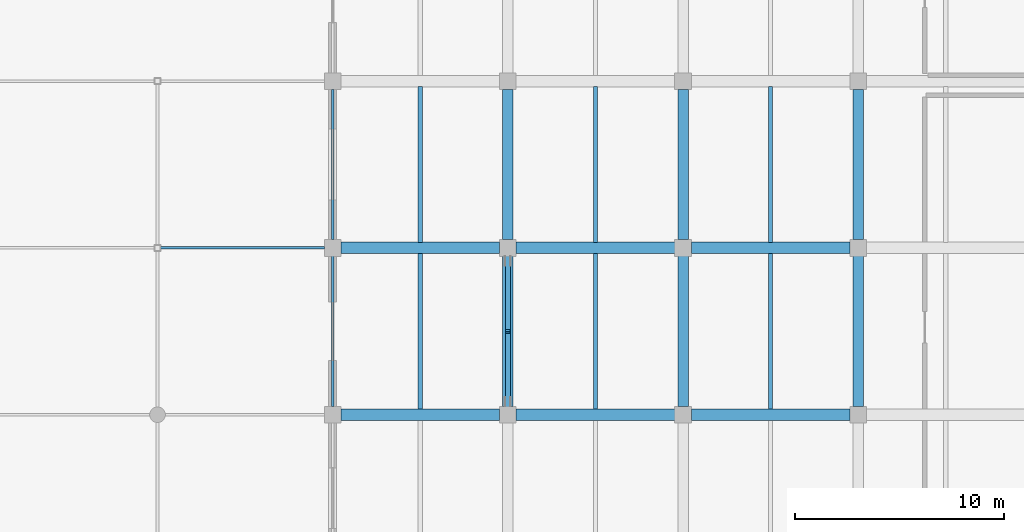
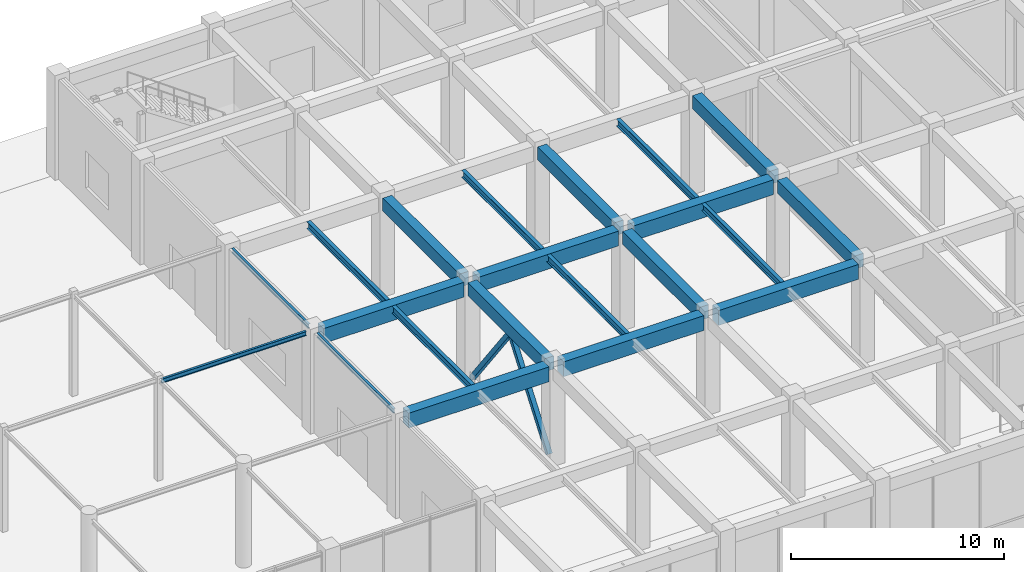
# One storey, part 33 of 76: 21 beams, 2 members.
"""IFC4 building model written with IfcOpenShell, lengths in metres."""

from ifc_helpers import new_model, si_unit, direction, frame, origin, origin_2d, place, context, subcontext, project, spatial, rectangle, hollow_rectangle, i_section, extrude, material, material_profile, profile_set, type_object, element, save


model = new_model("IFC4")

# Units and contexts
model_context = context("Model", 3, precision=1e-05, world=origin(), true_north=direction((0.0, 1.0)))
body_context = subcontext(model_context, "Body", "Model", "MODEL_VIEW")
ifc_project = project(units=[si_unit("LENGTHUNIT", "METRE"), si_unit("AREAUNIT", "SQUARE_METRE"), si_unit("VOLUMEUNIT", "CUBIC_METRE"), si_unit("PLANEANGLEUNIT", "RADIAN"), si_unit("MASSUNIT", "GRAM", prefix="KILO")], contexts=[model_context])

# Site, building, storey
site_placement = place(None, origin())
site = spatial("IfcSite", under=ifc_project, at=site_placement, CompositionType="ELEMENT")
building_placement = place(site_placement, origin())
building = spatial("IfcBuilding", under=site, at=building_placement, Name="Naruveol Harbour Congress Hotel", CompositionType="ELEMENT")
storey_placement = place(building_placement, origin())
storey = spatial("IfcBuildingStorey", under=building, at=storey_placement, Name="L00", CompositionType="ELEMENT", Elevation=0.0)

# Beams
ifc_material_1 = material(Name="Concrete C40/50", Category="concrete")
ifc_material_profile_1 = material_profile(ifc_material_1, rectangle(XDim=0.5, YDim=0.75, at=origin_2d()), Name="RCB-500x750")
ifc_profile_set_1 = profile_set([ifc_material_profile_1], Name="Concrete C40/50")
beam_type_1 = type_object("IfcBeamType", Name="RC FLOOR GIRDER 500X750", PredefinedType="BEAM", material=ifc_profile_set_1)
for number, where, z_axis, x_axis, name in (
    (1, (75.60009765625, 80.39599609375, 5.324951171875), (0.0, 1.0, 0.0), (-1.0, 0.0, 0.0), "Transverse girder L01 CB3"),
    (2, (75.60009765625, 88.39599609375, 5.324951171875), (0.0, 1.0, 0.0), (-1.0, 0.0, 0.0), "Transverse girder L01 CB3"),
    (3, (84.0, 80.39599609375, 5.324951171875), (0.0, 1.0, 0.0), (-1.0, 0.0, 0.0), "Transverse girder L01 CB3"),
    (4, (84.0, 88.39599609375, 5.324951171875), (0.0, 1.0, 0.0), (-1.0, 0.0, 0.0), "Transverse girder L01 CB3"),
    (5, (92.39990234375, 80.39599609375, 5.324951171875), (0.0, 1.0, 0.0), (-1.0, 0.0, 0.0), "Transverse girder L01 CB3"),
    (6, (92.39990234375, 88.39599609375, 5.324951171875), (0.0, 1.0, 0.0), (-1.0, 0.0, 0.0), "Transverse girder L01 CB3"),
):
    element("IfcBeam", number, at=place(storey_placement, frame(where, z_axis=z_axis, x_axis=x_axis)), inside=storey, type_object=beam_type_1, Name=name, PredefinedType="BEAM", context=body_context, shape_type="SweptSolid", body=[
        extrude(rectangle(XDim=0.5, YDim=0.75, at=origin_2d()), origin(), (0.0, 0.0, 1.0), 7.2080078125),
    ])
ifc_material_2 = material(Name="Concrete C40/50", Category="concrete")
ifc_material_profile_2 = material_profile(ifc_material_2, rectangle(XDim=0.550048828125, YDim=0.85009765625, at=origin_2d()), Name="RCB-550x850")
ifc_profile_set_2 = profile_set([ifc_material_profile_2], Name="Concrete C40/50")
beam_type_2 = type_object("IfcBeamType", Name="RC PRIMARY GIRDER 550X850", PredefinedType="BEAM", material=ifc_profile_set_2)
beam_1_placement = place(storey_placement, frame((67.595947265625, 80.0, 5.27490234375), z_axis=(1.0, 0.0, 0.0), x_axis=(0.0, 1.0, 0.0)))
element("IfcBeam", 7, at=beam_1_placement, inside=storey, type_object=beam_type_2, Name="Floor girder L01 CB2", PredefinedType="BEAM", context=body_context, shape_type="SweptSolid", body=[
    extrude(rectangle(XDim=0.550048828125, YDim=0.85009765625, at=origin_2d()), origin(), (0.0, 0.0, 1.0), 7.608154296875),
])
for number, where, z_axis, x_axis, name in (
    (8, (75.99609375, 80.0, 5.27490234375), (1.0, 0.0, 0.0), (0.0, 1.0, 0.0), "Floor girder L01 CB2"),
    (9, (84.39599609375, 80.0, 5.27490234375), (1.0, 0.0, 0.0), (0.0, 1.0, 0.0), "Floor girder L01 CB2"),
):
    element("IfcBeam", number, at=place(storey_placement, frame(where, z_axis=z_axis, x_axis=x_axis)), inside=storey, type_object=beam_type_2, Name=name, PredefinedType="BEAM", context=body_context, shape_type="SweptSolid", body=[
        extrude(rectangle(XDim=0.550048828125, YDim=0.85009765625, at=origin_2d()), origin(), (0.0, 0.0, 1.0), 7.60791015625),
    ])
beam_2_placement = place(storey_placement, frame((67.595947265625, 88.0, 5.27490234375), z_axis=(1.0, 0.0, 0.0), x_axis=(0.0, 1.0, 0.0)))
element("IfcBeam", 10, at=beam_2_placement, inside=storey, type_object=beam_type_2, Name="Floor girder L01 CB2", PredefinedType="BEAM", context=body_context, shape_type="SweptSolid", body=[
    extrude(rectangle(XDim=0.550048828125, YDim=0.85009765625, at=origin_2d()), origin(), (0.0, 0.0, 1.0), 7.608154296875),
])
for number, where, z_axis, x_axis, name in (
    (11, (75.99609375, 88.0, 5.27490234375), (1.0, 0.0, 0.0), (0.0, 1.0, 0.0), "Floor girder L01 CB2"),
    (12, (84.39599609375, 88.0, 5.27490234375), (1.0, 0.0, 0.0), (0.0, 1.0, 0.0), "Floor girder L01 CB2"),
):
    element("IfcBeam", number, at=place(storey_placement, frame(where, z_axis=z_axis, x_axis=x_axis)), inside=storey, type_object=beam_type_2, Name=name, PredefinedType="BEAM", context=body_context, shape_type="SweptSolid", body=[
        extrude(rectangle(XDim=0.550048828125, YDim=0.85009765625, at=origin_2d()), origin(), (0.0, 0.0, 1.0), 7.60791015625),
    ])
ifc_material_3 = material(Name="Steel SN490", Category="steel")
ifc_material_profile_3 = material_profile(ifc_material_3, i_section(OverallWidth=0.125, OverallDepth=0.25, WebThickness=0.006103515625, FlangeThickness=0.009033203125, at=origin_2d()), Name="H-250x125x6x9")
ifc_profile_set_3 = profile_set([ifc_material_profile_3], Name="Steel SN490")
beam_type_3 = type_object("IfcBeamType", Name="STEEL CANOPY EDGE BEAM H250", PredefinedType="BEAM", material=ifc_profile_set_3)
beam_3_placement = place(storey_placement, frame((58.946044921875, 88.0, 5.574951171875), z_axis=(1.0, 0.0, 0.0), x_axis=(0.0, 1.0, 0.0)))
element("IfcBeam", 13, at=beam_3_placement, inside=storey, type_object=beam_type_3, Name="Floor girder L01 SB3", PredefinedType="BEAM", context=body_context, shape_type="SweptSolid", body=[
    extrude(i_section(OverallWidth=0.125, OverallDepth=0.25, WebThickness=0.006103515625, FlangeThickness=0.009033203125, at=origin_2d()), origin(), (0.0, 0.0, 1.0), 7.85791015625),
])
for number, where, z_axis, x_axis, name in (
    (14, (67.199951171875, 80.39599609375, 5.574951171875), (0.0, 1.0, 0.0), (-1.0, 0.0, 0.0), "Transverse girder L01 SB3"),
    (15, (67.199951171875, 88.39599609375, 5.574951171875), (0.0, 1.0, 0.0), (-1.0, 0.0, 0.0), "Transverse girder L01 SB3"),
):
    element("IfcBeam", number, at=place(storey_placement, frame(where, z_axis=z_axis, x_axis=x_axis)), inside=storey, type_object=beam_type_3, Name=name, PredefinedType="BEAM", context=body_context, shape_type="SweptSolid", body=[
        extrude(i_section(OverallWidth=0.125, OverallDepth=0.25, WebThickness=0.006103515625, FlangeThickness=0.009033203125, at=origin_2d()), origin(), (0.0, 0.0, 1.0), 7.2080078125),
    ])

# Members
ifc_material_4 = material(Name="Steel SN490", Category="steel")
ifc_material_profile_4 = material_profile(ifc_material_4, hollow_rectangle(XDim=0.25, YDim=0.25, WallThickness=0.011962890625, at=origin_2d()), Name="SHS-250x250x12")
ifc_profile_set_4 = profile_set([ifc_material_profile_4], Name="Steel SN490")
member_type = type_object("IfcMemberType", Name="STEEL LATERAL FRAME BRACE SHS250", PredefinedType="BRACE", material=ifc_profile_set_4)
for number, where, z_axis, x_axis, name in (
    (16, (75.60009765625, 80.389892578125, 0.159912109375), (0.0, 0.601873941138, 0.798591108753), (-1.0, 0.0, 0.0), "Lateral chevron brace L00 #8A"),
    (17, (75.60009765625, 87.610107421875, 0.159912109375), (0.0, -0.601873941138, 0.798591108753), (1.0, 0.0, 0.0), "Lateral chevron brace L00 #8B"),
):
    element("IfcMember", number, at=place(storey_placement, frame(where, z_axis=z_axis, x_axis=x_axis)), inside=storey, type_object=member_type, Name=name, PredefinedType="BRACE", context=body_context, shape_type="SweptSolid", body=[
        extrude(hollow_rectangle(XDim=0.25, YDim=0.25, WallThickness=0.011962890625, at=origin_2d()), origin(), (0.0, 0.0, 1.0), 5.998046875),
    ])

# Beams
ifc_material_5 = material(Name="Steel SN490", Category="steel")
ifc_material_profile_5 = material_profile(ifc_material_5, i_section(OverallWidth=0.199951171875, OverallDepth=0.39990234375, WebThickness=0.008056640625, FlangeThickness=0.012939453125, at=origin_2d()), Name="H-400x200x8x13")
ifc_profile_set_5 = profile_set([ifc_material_profile_5], Name="Steel SN490")
beam_type_4 = type_object("IfcBeamType", Name="STEEL SECONDARY JOIST H400", PredefinedType="JOIST", material=ifc_profile_set_5)
for number, where, z_axis, x_axis, name in (
    (18, (71.39990234375, 80.27099609375, 5.5), (0.0, 1.0, 0.0), (-1.0, 0.0, 0.0), "Secondary floor joist L01 SJ1"),
    (19, (79.800048828125, 80.27099609375, 5.5), (0.0, 1.0, 0.0), (-1.0, 0.0, 0.0), "Secondary floor joist L01 SJ1"),
    (20, (88.199951171875, 80.27099609375, 5.5), (0.0, 1.0, 0.0), (-1.0, 0.0, 0.0), "Secondary floor joist L01 SJ1"),
    (21, (71.39990234375, 88.27099609375, 5.5), (0.0, 1.0, 0.0), (-1.0, 0.0, 0.0), "Secondary floor joist L01 SJ1"),
    (22, (79.800048828125, 88.27099609375, 5.5), (0.0, 1.0, 0.0), (-1.0, 0.0, 0.0), "Secondary floor joist L01 SJ1"),
    (23, (88.199951171875, 88.27099609375, 5.5), (0.0, 1.0, 0.0), (-1.0, 0.0, 0.0), "Secondary floor joist L01 SJ1"),
):
    element("IfcBeam", number, at=place(storey_placement, frame(where, z_axis=z_axis, x_axis=x_axis)), inside=storey, type_object=beam_type_4, Name=name, PredefinedType="JOIST", context=body_context, shape_type="SweptSolid", body=[
        extrude(i_section(OverallWidth=0.199951171875, OverallDepth=0.39990234375, WebThickness=0.008056640625, FlangeThickness=0.012939453125, at=origin_2d()), origin(), (0.0, 0.0, 1.0), 7.4580078125),
    ])

save(model, "model.ifc")
